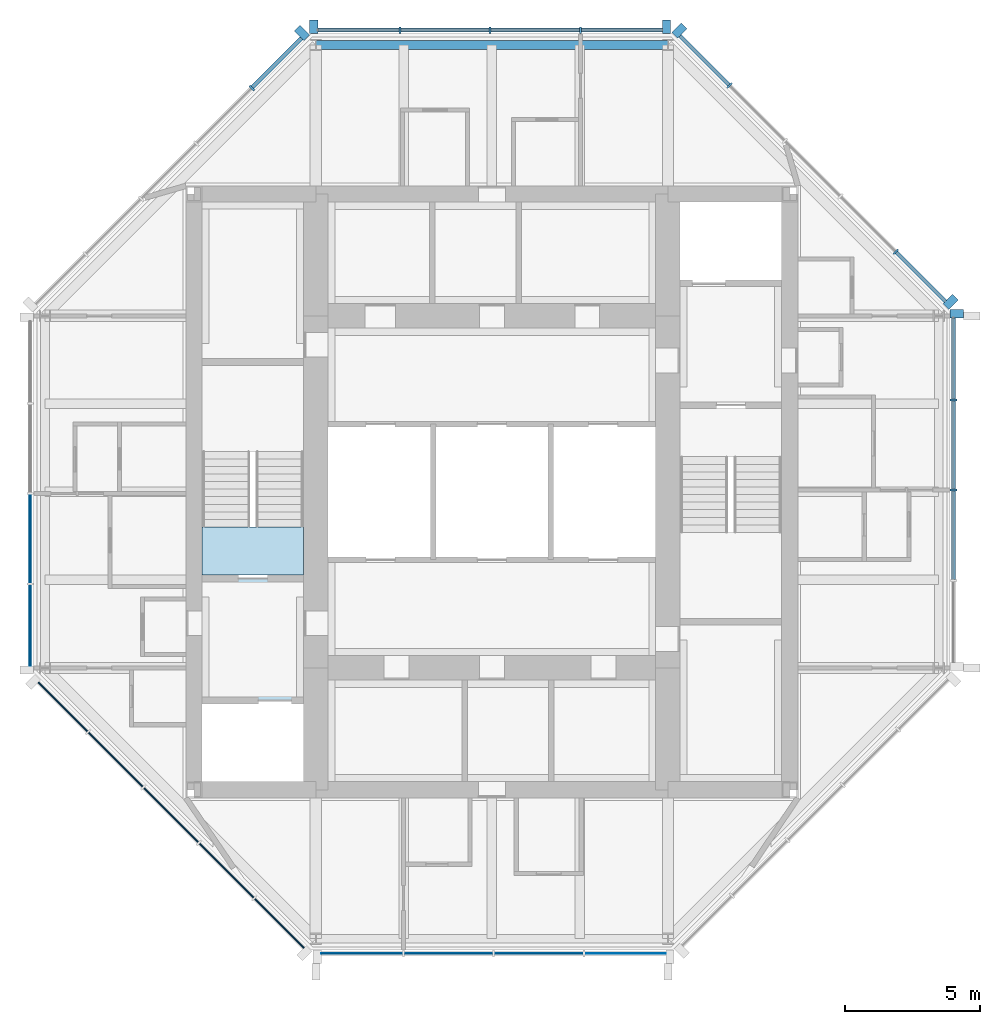
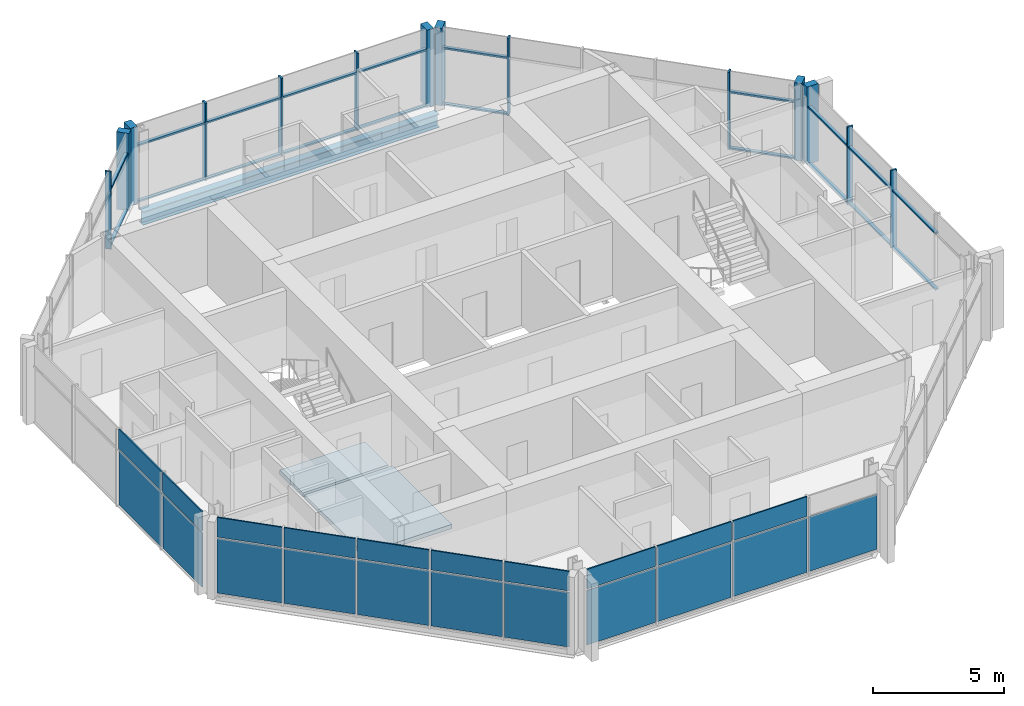
# One storey, part 3 of 9: 34 members, 21 plates, 2 slabs, 1 beam, 8 elements without a shape of their own.
"""IFC4 building model written with IfcOpenShell, lengths in metres."""

from ifc_helpers import new_model, si_unit, direction, frame, origin, origin_2d, place, context, subcontext, project, spatial, polyline, rectangle, i_section, outline, extrude, material, layer, layer_set, material_profile, profile_set, type_object, element, aggregate, save


model = new_model("IFC4")

# Units and contexts
model_context = context("Model", 3, precision=1e-05, world=origin(), true_north=direction((0.0, 1.0)))
body_context = subcontext(model_context, "Body", "Model", "MODEL_VIEW")
ifc_project = project(units=[si_unit("LENGTHUNIT", "METRE"), si_unit("AREAUNIT", "SQUARE_METRE"), si_unit("VOLUMEUNIT", "CUBIC_METRE"), si_unit("PLANEANGLEUNIT", "RADIAN"), si_unit("MASSUNIT", "GRAM", prefix="KILO")], contexts=[model_context])

# Site, building, storey
site_placement = place(None, origin())
site = spatial("IfcSite", under=ifc_project, at=site_placement, CompositionType="ELEMENT")
building_placement = place(site_placement, origin())
building = spatial("IfcBuilding", under=site, at=building_placement, Name="Trevanion Tower", CompositionType="ELEMENT")
storey_placement = place(building_placement, frame((0.0, 0.0, 277.60009765625)))
storey = spatial("IfcBuildingStorey", under=building, at=storey_placement, Name="L68", CompositionType="ELEMENT", Elevation=277.60009765625)

# Curtain wall, members
ifc_material_1 = material(Name="Aluminium and glass", Category="aluminium")
curtain_wall_type = type_object("IfcCurtainWallType", Name="CW4 curtain wall", PredefinedType="USERDEFINED", material=ifc_material_1)
curtain_wall_1_placement = place(storey_placement, origin())
curtain_wall_1 = element("IfcCurtainWall", 1, at=curtain_wall_1_placement, inside=storey, type_object=curtain_wall_type, Name="CW4 L68 0", ObjectType="UNITISED CURTAIN WALL", PredefinedType="USERDEFINED")
ifc_material_2 = material(Name="Aluminium extrusion, anodised bronze", Category="aluminium")
ifc_material_profile_1 = material_profile(ifc_material_2, rectangle(XDim=0.074951171875, YDim=0.25, at=origin_2d()), Name="CW4 mullion")
ifc_profile_set_1 = profile_set([ifc_material_profile_1], Name="Aluminium extrusion, anodised bronze")
member_type_1 = type_object("IfcMemberType", Name="CW4 mullion", PredefinedType="MULLION", material=ifc_profile_set_1)
member_1_placement = place(storey_placement, frame((17.050048828125, 0.06494140625, -0.190185546875), z_axis=(0.0, 0.0, 1.0), x_axis=(0.0, 1.0, 0.0)))
member_1 = element("IfcMember", 2, at=member_1_placement, type_object=member_type_1, Name="CW4 mullion 3", PredefinedType="MULLION", context=body_context, shape_type="SweptSolid", body=[
    extrude(rectangle(XDim=0.074951171875, YDim=0.25, at=origin_2d()), origin(), (0.0, 0.0, 1.0), 3.60009765625),
])
member_2_placement = place(storey_placement, frame((17.050048828125, 3.396484375, -0.190185546875), z_axis=(0.0, 0.0, 1.0), x_axis=(0.0, 1.0, 0.0)))
member_2 = element("IfcMember", 3, at=member_2_placement, type_object=member_type_1, Name="CW4 mullion 4", PredefinedType="MULLION", context=body_context, shape_type="SweptSolid", body=[
    extrude(rectangle(XDim=0.074951171875, YDim=0.25, at=origin_2d()), origin(), (0.0, 0.0, 1.0), 3.60009765625),
])

curtain_wall_2_placement = place(storey_placement, origin())
curtain_wall_2 = element("IfcCurtainWall", 4, at=curtain_wall_2_placement, inside=storey, type_object=curtain_wall_type, Name="CW4 L68 1", ObjectType="UNITISED CURTAIN WALL", PredefinedType="USERDEFINED")
member_3_placement = place(storey_placement, frame((14.912109375, 8.86572265625, -0.190185546875), z_axis=(0.0, 0.0, 1.0), x_axis=(-0.707106781187, 0.707106781187, 0.0)))
member_3 = element("IfcMember", 5, at=member_3_placement, type_object=member_type_1, Name="CW4 mullion 2", PredefinedType="MULLION", context=body_context, shape_type="SweptSolid", body=[
    extrude(rectangle(XDim=0.074951171875, YDim=0.25, at=origin_2d()), origin(), (0.0, 0.0, 1.0), 3.60009765625),
])
member_4_placement = place(storey_placement, frame((8.77392578125, 15.00390625, -0.190185546875), z_axis=(0.0, 0.0, 1.0), x_axis=(-0.707106781187, 0.707106781187, 0.0)))
member_4 = element("IfcMember", 6, at=member_4_placement, type_object=member_type_1, Name="CW4 mullion 5", PredefinedType="MULLION", context=body_context, shape_type="SweptSolid", body=[
    extrude(rectangle(XDim=0.074951171875, YDim=0.25, at=origin_2d()), origin(), (0.0, 0.0, 1.0), 3.60009765625),
])

curtain_wall_3_placement = place(storey_placement, origin())
curtain_wall_3 = element("IfcCurtainWall", 7, at=curtain_wall_3_placement, inside=storey, type_object=curtain_wall_type, Name="CW4 L68 2", ObjectType="UNITISED CURTAIN WALL", PredefinedType="USERDEFINED")
member_5_placement = place(storey_placement, frame((3.266357421875, 17.050048828125, -0.190185546875), z_axis=(0.0, 0.0, 1.0), x_axis=(-1.0, 0.0, 0.0)))
member_5 = element("IfcMember", 8, at=member_5_placement, type_object=member_type_1, Name="CW4 mullion 2", PredefinedType="MULLION", context=body_context, shape_type="SweptSolid", body=[
    extrude(rectangle(XDim=0.074951171875, YDim=0.25, at=origin_2d()), origin(), (0.0, 0.0, 1.0), 3.60009765625),
])
member_6_placement = place(storey_placement, frame((-0.06494140625, 17.050048828125, -0.190185546875), z_axis=(0.0, 0.0, 1.0), x_axis=(-1.0, 0.0, 0.0)))
member_6 = element("IfcMember", 9, at=member_6_placement, type_object=member_type_1, Name="CW4 mullion 3", PredefinedType="MULLION", context=body_context, shape_type="SweptSolid", body=[
    extrude(rectangle(XDim=0.074951171875, YDim=0.25, at=origin_2d()), origin(), (0.0, 0.0, 1.0), 3.60009765625),
])
member_7_placement = place(storey_placement, frame((-3.396484375, 17.050048828125, -0.190185546875), z_axis=(0.0, 0.0, 1.0), x_axis=(-1.0, 0.0, 0.0)))
member_7 = element("IfcMember", 10, at=member_7_placement, type_object=member_type_1, Name="CW4 mullion 4", PredefinedType="MULLION", context=body_context, shape_type="SweptSolid", body=[
    extrude(rectangle(XDim=0.074951171875, YDim=0.25, at=origin_2d()), origin(), (0.0, 0.0, 1.0), 3.60009765625),
])

# Curtain wall, member
curtain_wall_4_placement = place(storey_placement, origin())
curtain_wall_4 = element("IfcCurtainWall", 11, at=curtain_wall_4_placement, inside=storey, type_object=curtain_wall_type, Name="CW4 L68 3", ObjectType="UNITISED CURTAIN WALL", PredefinedType="USERDEFINED")
member_8_placement = place(storey_placement, frame((-8.86572265625, 14.912109375, -0.190185546875), z_axis=(0.0, 0.0, 1.0), x_axis=(-0.707106781187, -0.707106781187, 0.0)))
member_8 = element("IfcMember", 12, at=member_8_placement, type_object=member_type_1, Name="CW4 mullion 2", PredefinedType="MULLION", context=body_context, shape_type="SweptSolid", body=[
    extrude(rectangle(XDim=0.074951171875, YDim=0.25, at=origin_2d()), origin(), (0.0, 0.0, 1.0), 3.60009765625),
])

# Member
ifc_material_3 = material(Name="Aluminium extrusion, anodised bronze", Category="aluminium")
ifc_material_profile_2 = material_profile(ifc_material_3, rectangle(XDim=0.300048828125, YDim=0.5, at=origin_2d()), Name="CW4 pier mullion")
ifc_profile_set_2 = profile_set([ifc_material_profile_2], Name="Aluminium extrusion, anodised bronze")
member_type_2 = type_object("IfcMemberType", Name="CW4 pier mullion", PredefinedType="MULLION", material=ifc_profile_set_2)
member_9_placement = place(storey_placement, frame((17.175048828125, 6.577880859375, -0.190185546875), z_axis=(0.0, 0.0, 1.0), x_axis=(0.0, 1.0, 0.0)))
member_9 = element("IfcMember", 13, at=member_9_placement, type_object=member_type_2, Name="CW4 pier mullion 5", PredefinedType="MULLION", context=body_context, shape_type="SweptSolid", body=[
    extrude(rectangle(XDim=0.300048828125, YDim=0.5, at=origin_2d()), origin(), (0.0, 0.0, 1.0), 3.60009765625),
])

member_10_placement = place(storey_placement, frame((16.9404296875, 7.01416015625, -0.190185546875), z_axis=(0.0, 0.0, 1.0), x_axis=(-0.707106781187, 0.707106781187, 0.0)))
member_10 = element("IfcMember", 14, at=member_10_placement, type_object=member_type_2, Name="CW4 pier mullion 1", PredefinedType="MULLION", context=body_context, shape_type="SweptSolid", body=[
    extrude(rectangle(XDim=0.300048828125, YDim=0.5, at=origin_2d()), origin(), (0.0, 0.0, 1.0), 3.60009765625),
])

member_11_placement = place(storey_placement, frame((6.92236328125, 17.0322265625, -0.190185546875), z_axis=(0.0, 0.0, 1.0), x_axis=(-0.707106781187, 0.707106781187, 0.0)))
member_11 = element("IfcMember", 15, at=member_11_placement, type_object=member_type_2, Name="CW4 pier mullion 6", PredefinedType="MULLION", context=body_context, shape_type="SweptSolid", body=[
    extrude(rectangle(XDim=0.300048828125, YDim=0.5, at=origin_2d()), origin(), (0.0, 0.0, 1.0), 3.60009765625),
])

member_12_placement = place(storey_placement, frame((6.44775390625, 17.175048828125, -0.190185546875), z_axis=(0.0, 0.0, 1.0), x_axis=(-1.0, 0.0, 0.0)))
member_12 = element("IfcMember", 16, at=member_12_placement, type_object=member_type_2, Name="CW4 pier mullion 1", PredefinedType="MULLION", context=body_context, shape_type="SweptSolid", body=[
    extrude(rectangle(XDim=0.300048828125, YDim=0.5, at=origin_2d()), origin(), (0.0, 0.0, 1.0), 3.60009765625),
])

member_13_placement = place(storey_placement, frame((-6.577880859375, 17.175048828125, -0.190185546875), z_axis=(0.0, 0.0, 1.0), x_axis=(-1.0, 0.0, 0.0)))
member_13 = element("IfcMember", 17, at=member_13_placement, type_object=member_type_2, Name="CW4 pier mullion 5", PredefinedType="MULLION", context=body_context, shape_type="SweptSolid", body=[
    extrude(rectangle(XDim=0.300048828125, YDim=0.5, at=origin_2d()), origin(), (0.0, 0.0, 1.0), 3.60009765625),
])

member_14_placement = place(storey_placement, frame((-7.01416015625, 16.9404296875, -0.190185546875), z_axis=(0.0, 0.0, 1.0), x_axis=(-0.707106781187, -0.707106781187, 0.0)))
member_14 = element("IfcMember", 18, at=member_14_placement, type_object=member_type_2, Name="CW4 pier mullion 1", PredefinedType="MULLION", context=body_context, shape_type="SweptSolid", body=[
    extrude(rectangle(XDim=0.300048828125, YDim=0.5, at=origin_2d()), origin(), (0.0, 0.0, 1.0), 3.60009765625),
])

ifc_material_4 = material(Name="Aluminium extrusion, anodised bronze", Category="aluminium")
ifc_material_profile_3 = material_profile(ifc_material_4, rectangle(XDim=0.14990234375, YDim=0.074951171875, at=origin_2d()), Name="CW4 transom")
ifc_profile_set_3 = profile_set([ifc_material_profile_3], Name="Aluminium extrusion, anodised bronze")
member_type_3 = type_object("IfcMemberType", Name="CW4 transom", PredefinedType="USERDEFINED", material=ifc_profile_set_3)
member_15_placement = place(storey_placement, frame((17.050048828125, -3.22900390625, -0.152587890625), z_axis=(0.0, 1.0, 0.0), x_axis=(-1.0, 0.0, 0.0)))
member_15 = element("IfcMember", 19, at=member_15_placement, type_object=member_type_3, Name="CW4 transom 2.1", ObjectType="TRANSOM", PredefinedType="USERDEFINED", context=body_context, shape_type="SweptSolid", body=[
    extrude(rectangle(XDim=0.14990234375, YDim=0.074951171875, at=origin_2d()), origin(), (0.0, 0.0, 1.0), 3.256591796875),
])

member_16_placement = place(storey_placement, frame((17.050048828125, -3.22900390625, 2.4599609375), z_axis=(0.0, 1.0, 0.0), x_axis=(-1.0, 0.0, 0.0)))
member_16 = element("IfcMember", 20, at=member_16_placement, type_object=member_type_3, Name="CW4 transom 2.2", ObjectType="TRANSOM", PredefinedType="USERDEFINED", context=body_context, shape_type="SweptSolid", body=[
    extrude(rectangle(XDim=0.14990234375, YDim=0.074951171875, at=origin_2d()), origin(), (0.0, 0.0, 1.0), 3.256591796875),
])

member_17_placement = place(storey_placement, frame((17.050048828125, 0.1025390625, -0.152587890625), z_axis=(0.0, 1.0, 0.0), x_axis=(-1.0, 0.0, 0.0)))
member_17 = element("IfcMember", 21, at=member_17_placement, type_object=member_type_3, Name="CW4 transom 3.1", ObjectType="TRANSOM", PredefinedType="USERDEFINED", context=body_context, shape_type="SweptSolid", body=[
    extrude(rectangle(XDim=0.14990234375, YDim=0.074951171875, at=origin_2d()), origin(), (0.0, 0.0, 1.0), 3.25634765625),
])

member_18_placement = place(storey_placement, frame((17.050048828125, 0.1025390625, 2.4599609375), z_axis=(0.0, 1.0, 0.0), x_axis=(-1.0, 0.0, 0.0)))
member_18 = element("IfcMember", 22, at=member_18_placement, type_object=member_type_3, Name="CW4 transom 3.2", ObjectType="TRANSOM", PredefinedType="USERDEFINED", context=body_context, shape_type="SweptSolid", body=[
    extrude(rectangle(XDim=0.14990234375, YDim=0.074951171875, at=origin_2d()), origin(), (0.0, 0.0, 1.0), 3.25634765625),
])

member_19_placement = place(storey_placement, frame((17.050048828125, 3.433837890625, -0.152587890625), z_axis=(0.0, 1.0, 0.0), x_axis=(-1.0, 0.0, 0.0)))
member_19 = element("IfcMember", 23, at=member_19_placement, type_object=member_type_3, Name="CW4 transom 4.1", ObjectType="TRANSOM", PredefinedType="USERDEFINED", context=body_context, shape_type="SweptSolid", body=[
    extrude(rectangle(XDim=0.14990234375, YDim=0.074951171875, at=origin_2d()), origin(), (0.0, 0.0, 1.0), 2.993896484375),
])

member_20_placement = place(storey_placement, frame((17.050048828125, 3.433837890625, 2.4599609375), z_axis=(0.0, 1.0, 0.0), x_axis=(-1.0, 0.0, 0.0)))
member_20 = element("IfcMember", 24, at=member_20_placement, type_object=member_type_3, Name="CW4 transom 4.2", ObjectType="TRANSOM", PredefinedType="USERDEFINED", context=body_context, shape_type="SweptSolid", body=[
    extrude(rectangle(XDim=0.14990234375, YDim=0.074951171875, at=origin_2d()), origin(), (0.0, 0.0, 1.0), 2.993896484375),
])

aggregate(curtain_wall_1, [member_1, member_2, member_9, member_15, member_16, member_17, member_18, member_19, member_20])

member_21_placement = place(storey_placement, frame((16.745849609375, 7.031982421875, -0.152587890625), z_axis=(-0.707106781187, 0.707106781187, 0.0), x_axis=(-0.707106781187, -0.707106781187, 0.0)))
member_21 = element("IfcMember", 25, at=member_21_placement, type_object=member_type_3, Name="CW4 transom 1.1", ObjectType="TRANSOM", PredefinedType="USERDEFINED", context=body_context, shape_type="SweptSolid", body=[
    extrude(rectangle(XDim=0.14990234375, YDim=0.074951171875, at=origin_2d()), origin(), (0.0, 0.0, 1.0), 2.555908203125),
])

member_22_placement = place(storey_placement, frame((16.745849609375, 7.031982421875, 2.4599609375), z_axis=(-0.707106781187, 0.707106781187, 0.0), x_axis=(-0.707106781187, -0.707106781187, 0.0)))
member_22 = element("IfcMember", 26, at=member_22_placement, type_object=member_type_3, Name="CW4 transom 1.2", ObjectType="TRANSOM", PredefinedType="USERDEFINED", context=body_context, shape_type="SweptSolid", body=[
    extrude(rectangle(XDim=0.14990234375, YDim=0.074951171875, at=origin_2d()), origin(), (0.0, 0.0, 1.0), 2.555908203125),
])

member_23_placement = place(storey_placement, frame((8.747314453125, 15.030517578125, -0.152587890625), z_axis=(-0.707106781187, 0.707106781187, 0.0), x_axis=(-0.707106781187, -0.707106781187, 0.0)))
member_23 = element("IfcMember", 27, at=member_23_placement, type_object=member_type_3, Name="CW4 transom 5.1", ObjectType="TRANSOM", PredefinedType="USERDEFINED", context=body_context, shape_type="SweptSolid", body=[
    extrude(rectangle(XDim=0.14990234375, YDim=0.074951171875, at=origin_2d()), origin(), (0.0, 0.0, 1.0), 2.555908203125),
])

member_24_placement = place(storey_placement, frame((8.747314453125, 15.030517578125, 2.4599609375), z_axis=(-0.707106781187, 0.707106781187, 0.0), x_axis=(-0.707106781187, -0.707106781187, 0.0)))
member_24 = element("IfcMember", 28, at=member_24_placement, type_object=member_type_3, Name="CW4 transom 5.2", ObjectType="TRANSOM", PredefinedType="USERDEFINED", context=body_context, shape_type="SweptSolid", body=[
    extrude(rectangle(XDim=0.14990234375, YDim=0.074951171875, at=origin_2d()), origin(), (0.0, 0.0, 1.0), 2.555908203125),
])

aggregate(curtain_wall_2, [member_10, member_3, member_4, member_11, member_21, member_22, member_23, member_24])

member_25_placement = place(storey_placement, frame((6.2978515625, 17.050048828125, -0.152587890625), z_axis=(-1.0, 0.0, 0.0), x_axis=(0.0, -1.0, 0.0)))
member_25 = element("IfcMember", 29, at=member_25_placement, type_object=member_type_3, Name="CW4 transom 1.1", ObjectType="TRANSOM", PredefinedType="USERDEFINED", context=body_context, shape_type="SweptSolid", body=[
    extrude(rectangle(XDim=0.14990234375, YDim=0.074951171875, at=origin_2d()), origin(), (0.0, 0.0, 1.0), 2.993896484375),
])

member_26_placement = place(storey_placement, frame((6.2978515625, 17.050048828125, 2.4599609375), z_axis=(-1.0, 0.0, 0.0), x_axis=(0.0, -1.0, 0.0)))
member_26 = element("IfcMember", 30, at=member_26_placement, type_object=member_type_3, Name="CW4 transom 1.2", ObjectType="TRANSOM", PredefinedType="USERDEFINED", context=body_context, shape_type="SweptSolid", body=[
    extrude(rectangle(XDim=0.14990234375, YDim=0.074951171875, at=origin_2d()), origin(), (0.0, 0.0, 1.0), 2.993896484375),
])

member_27_placement = place(storey_placement, frame((3.22900390625, 17.050048828125, -0.152587890625), z_axis=(-1.0, 0.0, 0.0), x_axis=(0.0, -1.0, 0.0)))
member_27 = element("IfcMember", 31, at=member_27_placement, type_object=member_type_3, Name="CW4 transom 2.1", ObjectType="TRANSOM", PredefinedType="USERDEFINED", context=body_context, shape_type="SweptSolid", body=[
    extrude(rectangle(XDim=0.14990234375, YDim=0.074951171875, at=origin_2d()), origin(), (0.0, 0.0, 1.0), 3.256591796875),
])

member_28_placement = place(storey_placement, frame((3.22900390625, 17.050048828125, 2.4599609375), z_axis=(-1.0, 0.0, 0.0), x_axis=(0.0, -1.0, 0.0)))
member_28 = element("IfcMember", 32, at=member_28_placement, type_object=member_type_3, Name="CW4 transom 2.2", ObjectType="TRANSOM", PredefinedType="USERDEFINED", context=body_context, shape_type="SweptSolid", body=[
    extrude(rectangle(XDim=0.14990234375, YDim=0.074951171875, at=origin_2d()), origin(), (0.0, 0.0, 1.0), 3.256591796875),
])

member_29_placement = place(storey_placement, frame((-0.1025390625, 17.050048828125, -0.152587890625), z_axis=(-1.0, 0.0, 0.0), x_axis=(0.0, -1.0, 0.0)))
member_29 = element("IfcMember", 33, at=member_29_placement, type_object=member_type_3, Name="CW4 transom 3.1", ObjectType="TRANSOM", PredefinedType="USERDEFINED", context=body_context, shape_type="SweptSolid", body=[
    extrude(rectangle(XDim=0.14990234375, YDim=0.074951171875, at=origin_2d()), origin(), (0.0, 0.0, 1.0), 3.25634765625),
])

member_30_placement = place(storey_placement, frame((-0.1025390625, 17.050048828125, 2.4599609375), z_axis=(-1.0, 0.0, 0.0), x_axis=(0.0, -1.0, 0.0)))
member_30 = element("IfcMember", 34, at=member_30_placement, type_object=member_type_3, Name="CW4 transom 3.2", ObjectType="TRANSOM", PredefinedType="USERDEFINED", context=body_context, shape_type="SweptSolid", body=[
    extrude(rectangle(XDim=0.14990234375, YDim=0.074951171875, at=origin_2d()), origin(), (0.0, 0.0, 1.0), 3.25634765625),
])

member_31_placement = place(storey_placement, frame((-3.433837890625, 17.050048828125, -0.152587890625), z_axis=(-1.0, 0.0, 0.0), x_axis=(0.0, -1.0, 0.0)))
member_31 = element("IfcMember", 35, at=member_31_placement, type_object=member_type_3, Name="CW4 transom 4.1", ObjectType="TRANSOM", PredefinedType="USERDEFINED", context=body_context, shape_type="SweptSolid", body=[
    extrude(rectangle(XDim=0.14990234375, YDim=0.074951171875, at=origin_2d()), origin(), (0.0, 0.0, 1.0), 2.993896484375),
])

member_32_placement = place(storey_placement, frame((-3.433837890625, 17.050048828125, 2.4599609375), z_axis=(-1.0, 0.0, 0.0), x_axis=(0.0, -1.0, 0.0)))
member_32 = element("IfcMember", 36, at=member_32_placement, type_object=member_type_3, Name="CW4 transom 4.2", ObjectType="TRANSOM", PredefinedType="USERDEFINED", context=body_context, shape_type="SweptSolid", body=[
    extrude(rectangle(XDim=0.14990234375, YDim=0.074951171875, at=origin_2d()), origin(), (0.0, 0.0, 1.0), 2.993896484375),
])

aggregate(curtain_wall_3, [member_12, member_5, member_6, member_7, member_13, member_25, member_26, member_27, member_28, member_29, member_30, member_31, member_32])

member_33_placement = place(storey_placement, frame((-7.031982421875, 16.745849609375, -0.152587890625), z_axis=(-0.707106781187, -0.707106781187, 0.0), x_axis=(0.707106781187, -0.707106781187, 0.0)))
member_33 = element("IfcMember", 37, at=member_33_placement, type_object=member_type_3, Name="CW4 transom 1.1", ObjectType="TRANSOM", PredefinedType="USERDEFINED", context=body_context, shape_type="SweptSolid", body=[
    extrude(rectangle(XDim=0.14990234375, YDim=0.074951171875, at=origin_2d()), origin(), (0.0, 0.0, 1.0), 2.555908203125),
])

member_34_placement = place(storey_placement, frame((-7.031982421875, 16.745849609375, 2.4599609375), z_axis=(-0.707106781187, -0.707106781187, 0.0), x_axis=(0.707106781187, -0.707106781187, 0.0)))
member_34 = element("IfcMember", 38, at=member_34_placement, type_object=member_type_3, Name="CW4 transom 1.2", ObjectType="TRANSOM", PredefinedType="USERDEFINED", context=body_context, shape_type="SweptSolid", body=[
    extrude(rectangle(XDim=0.14990234375, YDim=0.074951171875, at=origin_2d()), origin(), (0.0, 0.0, 1.0), 2.555908203125),
])

aggregate(curtain_wall_4, [member_14, member_8, member_33, member_34])

# Beam
ifc_material_5 = material(Name="Steel ASTM A992 Grade 50", Category="steel")
ifc_material_profile_4 = material_profile(ifc_material_5, i_section(OverallWidth=0.32763671875, OverallDepth=0.622314453125, WebThickness=0.015380859375, FlangeThickness=0.0244140625, at=origin_2d()), Name="W24X131")
ifc_profile_set_4 = profile_set([ifc_material_profile_4], Name="Steel ASTM A992 Grade 50")
beam_type = type_object("IfcBeamType", Name="SB12 W24X131", PredefinedType="SPANDREL", material=ifc_profile_set_4)
beam_placement = place(storey_placement, frame((6.5, 16.5, -0.501220703125), z_axis=(-1.0, 0.0, 0.0), x_axis=(0.0, -1.0, 0.0)))
element("IfcBeam", 39, at=beam_placement, inside=storey, type_object=beam_type, Name="SB12 L68", PredefinedType="SPANDREL", context=body_context, shape_type="SweptSolid", body=[
    extrude(i_section(OverallWidth=0.32763671875, OverallDepth=0.622314453125, WebThickness=0.015380859375, FlangeThickness=0.0244140625, at=origin_2d()), origin(), (0.0, 0.0, 1.0), 13.0),
])

# Curtain wall, plates
curtain_wall_5_placement = place(storey_placement, origin())
curtain_wall_5 = element("IfcCurtainWall", 40, at=curtain_wall_5_placement, inside=storey, type_object=curtain_wall_type, Name="CW4 L68 4", ObjectType="UNITISED CURTAIN WALL", PredefinedType="USERDEFINED")
ifc_material_6 = material(Name="Aluminium spandrel panel", Category="aluminium")
ifc_layer_1 = layer(ifc_material_6, 0.06005859375)
ifc_layer_set_1 = layer_set([ifc_layer_1], Name="CW4 spandrel panel")
plate_type_1 = type_object("IfcPlateType", Name="CW4 spandrel panel", PredefinedType="CURTAIN_PANEL", material=ifc_layer_set_1)
plate_1_placement = place(storey_placement, frame((-17.050048828125, -1.730712890625, 2.497314453125), z_axis=(0.0, 0.0, 1.0), x_axis=(0.0, -1.0, 0.0)))
plate_1 = element("IfcPlate", 41, at=plate_1_placement, type_object=plate_type_1, Name="CW4 panel 3.2", PredefinedType="CURTAIN_PANEL", context=body_context, shape_type="SweptSolid", body=[
    extrude(rectangle(XDim=3.25634765625, YDim=0.06005859375, at=origin_2d()), origin(), (0.0, 0.0, 1.0), 0.91259765625),
])
plate_2_placement = place(storey_placement, frame((-17.050048828125, -4.930908203125, 2.497314453125), z_axis=(0.0, 0.0, 1.0), x_axis=(0.0, -1.0, 0.0)))
plate_2 = element("IfcPlate", 42, at=plate_2_placement, type_object=plate_type_1, Name="CW4 panel 4.2", PredefinedType="CURTAIN_PANEL", context=body_context, shape_type="SweptSolid", body=[
    extrude(rectangle(XDim=2.993896484375, YDim=0.06005859375, at=origin_2d()), origin(), (0.0, 0.0, 1.0), 0.91259765625),
])

curtain_wall_6_placement = place(storey_placement, origin())
curtain_wall_6 = element("IfcCurtainWall", 43, at=curtain_wall_6_placement, inside=storey, type_object=curtain_wall_type, Name="CW4 L68 5", ObjectType="UNITISED CURTAIN WALL", PredefinedType="USERDEFINED")
plate_3_placement = place(storey_placement, frame((-15.84228515625, -7.935546875, 2.497314453125), z_axis=(0.0, 0.0, 1.0), x_axis=(0.707106781187, -0.707106781187, 0.0)))
plate_3 = element("IfcPlate", 44, at=plate_3_placement, type_object=plate_type_1, Name="CW4 panel 1.2", PredefinedType="CURTAIN_PANEL", context=body_context, shape_type="SweptSolid", body=[
    extrude(rectangle(XDim=2.55615234375, YDim=0.06005859375, at=origin_2d()), origin(), (0.0, 0.0, 1.0), 0.91259765625),
])
plate_4_placement = place(storey_placement, frame((-13.888916015625, -9.888916015625, 2.497314453125), z_axis=(0.0, 0.0, 1.0), x_axis=(0.707106781187, -0.707106781187, 0.0)))
plate_4 = element("IfcPlate", 45, at=plate_4_placement, type_object=plate_type_1, Name="CW4 panel 2.2", PredefinedType="CURTAIN_PANEL", context=body_context, shape_type="SweptSolid", body=[
    extrude(rectangle(XDim=2.818603515625, YDim=0.06005859375, at=origin_2d()), origin(), (0.0, 0.0, 1.0), 0.91259765625),
])
plate_5_placement = place(storey_placement, frame((-11.843017578125, -11.934814453125, 2.497314453125), z_axis=(0.0, 0.0, 1.0), x_axis=(0.707106781187, -0.707106781187, 0.0)))
plate_5 = element("IfcPlate", 46, at=plate_5_placement, type_object=plate_type_1, Name="CW4 panel 3.2", PredefinedType="CURTAIN_PANEL", context=body_context, shape_type="SweptSolid", body=[
    extrude(rectangle(XDim=2.818603515625, YDim=0.06005859375, at=origin_2d()), origin(), (0.0, 0.0, 1.0), 0.91259765625),
])
plate_6_placement = place(storey_placement, frame((-9.796875, -13.98095703125, 2.497314453125), z_axis=(0.0, 0.0, 1.0), x_axis=(0.707106781187, -0.707106781187, 0.0)))
plate_6 = element("IfcPlate", 47, at=plate_6_placement, type_object=plate_type_1, Name="CW4 panel 4.2", PredefinedType="CURTAIN_PANEL", context=body_context, shape_type="SweptSolid", body=[
    extrude(rectangle(XDim=2.818603515625, YDim=0.06005859375, at=origin_2d()), origin(), (0.0, 0.0, 1.0), 0.91259765625),
])
plate_7_placement = place(storey_placement, frame((-7.84375, -15.93408203125, 2.497314453125), z_axis=(0.0, 0.0, 1.0), x_axis=(0.707106781187, -0.707106781187, 0.0)))
plate_7 = element("IfcPlate", 48, at=plate_7_placement, type_object=plate_type_1, Name="CW4 panel 5.2", PredefinedType="CURTAIN_PANEL", context=body_context, shape_type="SweptSolid", body=[
    extrude(rectangle(XDim=2.55615234375, YDim=0.06005859375, at=origin_2d()), origin(), (0.0, 0.0, 1.0), 0.91259765625),
])

curtain_wall_7_placement = place(storey_placement, origin())
curtain_wall_7 = element("IfcCurtainWall", 49, at=curtain_wall_7_placement, inside=storey, type_object=curtain_wall_type, Name="CW4 L68 6", ObjectType="UNITISED CURTAIN WALL", PredefinedType="USERDEFINED")
plate_8_placement = place(storey_placement, frame((-4.80078125, -17.050048828125, 2.497314453125), z_axis=(0.0, 0.0, 1.0), x_axis=(1.0, 0.0, 0.0)))
plate_8 = element("IfcPlate", 50, at=plate_8_placement, type_object=plate_type_1, Name="CW4 panel 1.2", PredefinedType="CURTAIN_PANEL", context=body_context, shape_type="SweptSolid", body=[
    extrude(rectangle(XDim=2.993896484375, YDim=0.06005859375, at=origin_2d()), origin(), (0.0, 0.0, 1.0), 0.91259765625),
])
plate_9_placement = place(storey_placement, frame((-1.6005859375, -17.050048828125, 2.497314453125), z_axis=(0.0, 0.0, 1.0), x_axis=(1.0, 0.0, 0.0)))
plate_9 = element("IfcPlate", 51, at=plate_9_placement, type_object=plate_type_1, Name="CW4 panel 2.2", PredefinedType="CURTAIN_PANEL", context=body_context, shape_type="SweptSolid", body=[
    extrude(rectangle(XDim=3.25634765625, YDim=0.06005859375, at=origin_2d()), origin(), (0.0, 0.0, 1.0), 0.91259765625),
])
plate_10_placement = place(storey_placement, frame((1.730712890625, -17.050048828125, 2.497314453125), z_axis=(0.0, 0.0, 1.0), x_axis=(1.0, 0.0, 0.0)))
plate_10 = element("IfcPlate", 52, at=plate_10_placement, type_object=plate_type_1, Name="CW4 panel 3.2", PredefinedType="CURTAIN_PANEL", context=body_context, shape_type="SweptSolid", body=[
    extrude(rectangle(XDim=3.25634765625, YDim=0.06005859375, at=origin_2d()), origin(), (0.0, 0.0, 1.0), 0.91259765625),
])

# Plate
ifc_material_7 = material(Name="Insulating glass unit", Category="glass")
ifc_layer_2 = layer(ifc_material_7, 0.028076171875)
ifc_layer_set_2 = layer_set([ifc_layer_2], Name="CW4 vision panel")
plate_type_2 = type_object("IfcPlateType", Name="CW4 vision panel", PredefinedType="CURTAIN_PANEL", material=ifc_layer_set_2)
plate_11_placement = place(storey_placement, frame((-17.050048828125, -1.730712890625, -0.114990234375), z_axis=(0.0, 0.0, 1.0), x_axis=(0.0, -1.0, 0.0)))
plate_11 = element("IfcPlate", 53, at=plate_11_placement, type_object=plate_type_2, Name="CW4 panel 3.1", PredefinedType="CURTAIN_PANEL", context=body_context, shape_type="SweptSolid", body=[
    extrude(rectangle(XDim=3.25634765625, YDim=0.028076171875, at=origin_2d()), origin(), (0.0, 0.0, 1.0), 2.53759765625),
])

plate_12_placement = place(storey_placement, frame((-17.050048828125, -4.930908203125, -0.114990234375), z_axis=(0.0, 0.0, 1.0), x_axis=(0.0, -1.0, 0.0)))
plate_12 = element("IfcPlate", 54, at=plate_12_placement, type_object=plate_type_2, Name="CW4 panel 4.1", PredefinedType="CURTAIN_PANEL", context=body_context, shape_type="SweptSolid", body=[
    extrude(rectangle(XDim=2.993896484375, YDim=0.028076171875, at=origin_2d()), origin(), (0.0, 0.0, 1.0), 2.53759765625),
])

aggregate(curtain_wall_5, [plate_11, plate_1, plate_12, plate_2])

plate_13_placement = place(storey_placement, frame((-15.84228515625, -7.935546875, -0.114990234375), z_axis=(0.0, 0.0, 1.0), x_axis=(0.707106781187, -0.707106781187, 0.0)))
plate_13 = element("IfcPlate", 55, at=plate_13_placement, type_object=plate_type_2, Name="CW4 panel 1.1", PredefinedType="CURTAIN_PANEL", context=body_context, shape_type="SweptSolid", body=[
    extrude(rectangle(XDim=2.55615234375, YDim=0.028076171875, at=origin_2d()), origin(), (0.0, 0.0, 1.0), 2.53759765625),
])

plate_14_placement = place(storey_placement, frame((-13.888916015625, -9.888916015625, -0.114990234375), z_axis=(0.0, 0.0, 1.0), x_axis=(0.707106781187, -0.707106781187, 0.0)))
plate_14 = element("IfcPlate", 56, at=plate_14_placement, type_object=plate_type_2, Name="CW4 panel 2.1", PredefinedType="CURTAIN_PANEL", context=body_context, shape_type="SweptSolid", body=[
    extrude(rectangle(XDim=2.818603515625, YDim=0.028076171875, at=origin_2d()), origin(), (0.0, 0.0, 1.0), 2.53759765625),
])

plate_15_placement = place(storey_placement, frame((-11.843017578125, -11.934814453125, -0.114990234375), z_axis=(0.0, 0.0, 1.0), x_axis=(0.707106781187, -0.707106781187, 0.0)))
plate_15 = element("IfcPlate", 57, at=plate_15_placement, type_object=plate_type_2, Name="CW4 panel 3.1", PredefinedType="CURTAIN_PANEL", context=body_context, shape_type="SweptSolid", body=[
    extrude(rectangle(XDim=2.818603515625, YDim=0.028076171875, at=origin_2d()), origin(), (0.0, 0.0, 1.0), 2.53759765625),
])

plate_16_placement = place(storey_placement, frame((-9.796875, -13.98095703125, -0.114990234375), z_axis=(0.0, 0.0, 1.0), x_axis=(0.707106781187, -0.707106781187, 0.0)))
plate_16 = element("IfcPlate", 58, at=plate_16_placement, type_object=plate_type_2, Name="CW4 panel 4.1", PredefinedType="CURTAIN_PANEL", context=body_context, shape_type="SweptSolid", body=[
    extrude(rectangle(XDim=2.818603515625, YDim=0.028076171875, at=origin_2d()), origin(), (0.0, 0.0, 1.0), 2.53759765625),
])

plate_17_placement = place(storey_placement, frame((-7.84375, -15.93408203125, -0.114990234375), z_axis=(0.0, 0.0, 1.0), x_axis=(0.707106781187, -0.707106781187, 0.0)))
plate_17 = element("IfcPlate", 59, at=plate_17_placement, type_object=plate_type_2, Name="CW4 panel 5.1", PredefinedType="CURTAIN_PANEL", context=body_context, shape_type="SweptSolid", body=[
    extrude(rectangle(XDim=2.55615234375, YDim=0.028076171875, at=origin_2d()), origin(), (0.0, 0.0, 1.0), 2.53759765625),
])

aggregate(curtain_wall_6, [plate_13, plate_3, plate_14, plate_4, plate_15, plate_5, plate_16, plate_6, plate_17, plate_7])

plate_18_placement = place(storey_placement, frame((-4.80078125, -17.050048828125, -0.114990234375), z_axis=(0.0, 0.0, 1.0), x_axis=(1.0, 0.0, 0.0)))
plate_18 = element("IfcPlate", 60, at=plate_18_placement, type_object=plate_type_2, Name="CW4 panel 1.1", PredefinedType="CURTAIN_PANEL", context=body_context, shape_type="SweptSolid", body=[
    extrude(rectangle(XDim=2.993896484375, YDim=0.028076171875, at=origin_2d()), origin(), (0.0, 0.0, 1.0), 2.53759765625),
])

plate_19_placement = place(storey_placement, frame((-1.6005859375, -17.050048828125, -0.114990234375), z_axis=(0.0, 0.0, 1.0), x_axis=(1.0, 0.0, 0.0)))
plate_19 = element("IfcPlate", 61, at=plate_19_placement, type_object=plate_type_2, Name="CW4 panel 2.1", PredefinedType="CURTAIN_PANEL", context=body_context, shape_type="SweptSolid", body=[
    extrude(rectangle(XDim=3.25634765625, YDim=0.028076171875, at=origin_2d()), origin(), (0.0, 0.0, 1.0), 2.53759765625),
])

plate_20_placement = place(storey_placement, frame((1.730712890625, -17.050048828125, -0.114990234375), z_axis=(0.0, 0.0, 1.0), x_axis=(1.0, 0.0, 0.0)))
plate_20 = element("IfcPlate", 62, at=plate_20_placement, type_object=plate_type_2, Name="CW4 panel 3.1", PredefinedType="CURTAIN_PANEL", context=body_context, shape_type="SweptSolid", body=[
    extrude(rectangle(XDim=3.25634765625, YDim=0.028076171875, at=origin_2d()), origin(), (0.0, 0.0, 1.0), 2.53759765625),
])

plate_21_placement = place(storey_placement, frame((4.930908203125, -17.050048828125, -0.114990234375), z_axis=(0.0, 0.0, 1.0), x_axis=(1.0, 0.0, 0.0)))
plate_21 = element("IfcPlate", 63, at=plate_21_placement, type_object=plate_type_2, Name="CW4 panel 4.1", PredefinedType="CURTAIN_PANEL", context=body_context, shape_type="SweptSolid", body=[
    extrude(rectangle(XDim=2.993896484375, YDim=0.028076171875, at=origin_2d()), origin(), (0.0, 0.0, 1.0), 2.53759765625),
])

aggregate(curtain_wall_7, [plate_18, plate_8, plate_19, plate_9, plate_20, plate_10, plate_21])

# Slab
ifc_material_8 = material(Name="Concrete 5,000 psi", Category="concrete")
ifc_layer_3 = layer(ifc_material_8, 0.199951171875)
ifc_layer_set_3 = layer_set([ifc_layer_3], Name="SL2 core floor 200")
slab_type_1 = type_object("IfcSlabType", Name="SL2 core floor 200", PredefinedType="FLOOR", material=ifc_layer_set_3)
slab_1_placement = place(storey_placement, frame((0.0, 0.0, -0.2001953125)))
element("IfcSlab", 64, at=slab_1_placement, inside=storey, type_object=slab_type_1, Name="SL2 L68 core floor 3", PredefinedType="FLOOR", context=body_context, shape_type="SweptSolid", body=[
    extrude(outline(polyline([(-6.830078125, -3.205078125), (-6.830078125, -7.695068359375), (-10.699951171875, -7.695068359375), (-10.699951171875, -3.205078125), (-6.830078125, -3.205078125)])), origin(), (0.0, 0.0, 1.0), 0.2001953125),
])

# Stair, slab
ifc_material_9 = material(Name="Concrete 5,000 psi on steel stringers", Category="concrete")
stair_type = type_object("IfcStairType", Name="ST stair", PredefinedType="HALF_TURN_STAIR", material=ifc_material_9)
stair_placement = place(storey_placement, origin())
stair = element("IfcStair", 65, at=stair_placement, inside=storey, type_object=stair_type, Name="ST2 L68", PredefinedType="HALF_TURN_STAIR")
ifc_material_10 = material(Name="Concrete 5,000 psi in steel pan", Category="concrete")
ifc_layer_4 = layer(ifc_material_10, 0.199951171875)
ifc_layer_set_4 = layer_set([ifc_layer_4], Name="STL stair landing 200")
slab_type_2 = type_object("IfcSlabType", Name="STL stair landing 200", PredefinedType="LANDING", material=ifc_layer_set_4)
slab_2_placement = place(storey_placement, frame((0.0, 0.0, -0.2001953125)))
slab_2 = element("IfcSlab", 66, at=slab_2_placement, type_object=slab_type_2, Name="ST2 landing 1", PredefinedType="LANDING", context=body_context, shape_type="SweptSolid", body=[
    extrude(outline(polyline([(-6.949951171875, -1.300048828125), (-10.699951171875, -1.300048828125), (-10.699951171875, -3.074951171875), (-6.949951171875, -3.074951171875), (-6.949951171875, -1.300048828125)])), origin(), (0.0, 0.0, 1.0), 0.2001953125),
])
aggregate(stair, [slab_2])

save(model, "model.ifc")
